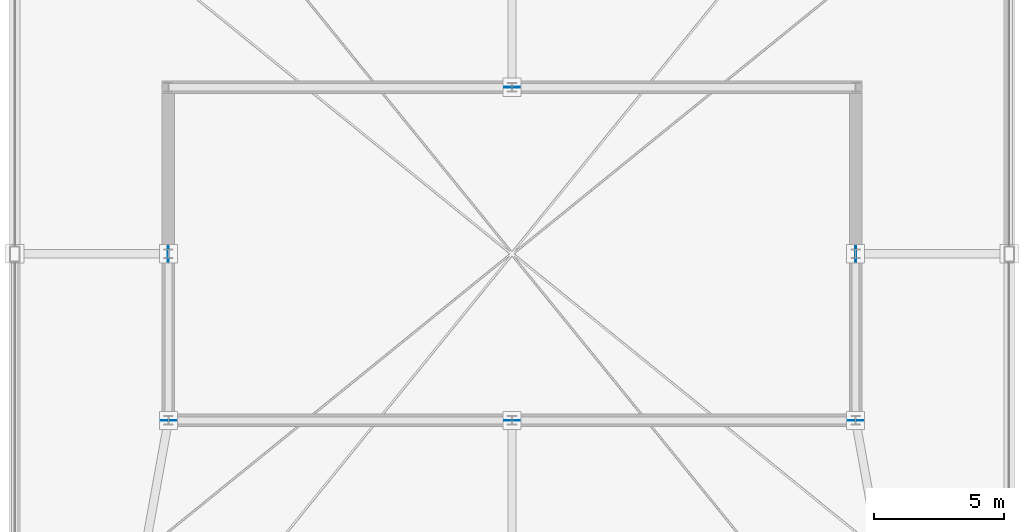
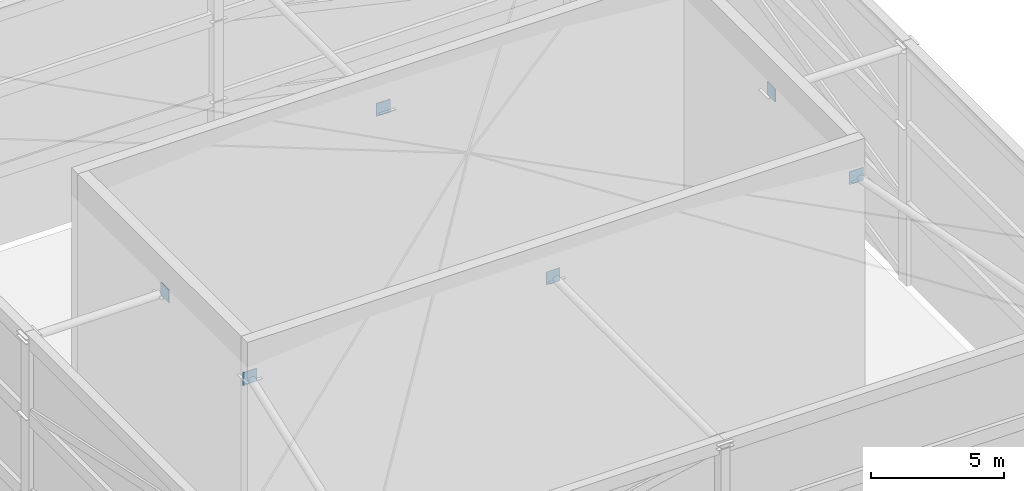
# One storey, part 5 of 6: 6 discrete accessories.
"""IFC4 building model written with IfcOpenShell, lengths in metres."""

import ifcopenshell
import ifcopenshell.guid

model = None  # the IFC model being written
_history = None  # IfcOwnerHistory: only IFC2X3 demands one
_inside = {}  # id of a spatial element -> (the spatial element, [elements in it])
_under = {}  # id of a project, library or spatial element -> (it, [spatial elements below it])
_declared = {}  # id of a project -> (the project, [libraries it declares])
_typed = {}  # id of a type object -> (the type object, [elements of that type])
_made_of = {}  # id of a material, layer set ... -> (it, [elements and type objects made of it])


def new_model(schema):
    """Start an empty IFC model of exactly this schema.

    Asked for "IFC4X3", IfcOpenShell would pick the latest addendum, in which some entities
    have other attributes; the version numbers below select the first issue.
    IFC2X3 requires an IfcOwnerHistory on every rooted entity: one is made here for all.
    """
    global model, _history
    if schema == "IFC4X3":
        model = ifcopenshell.file(schema_version=(4, 3, 0, 0))
    else:
        model = ifcopenshell.file(schema=schema)
    _inside.clear()
    _under.clear()
    _declared.clear()
    _typed.clear()
    _made_of.clear()
    _history = None
    if model.schema == "IFC2X3":
        org = make("IfcOrganization", Name="unknown")
        user = make(
            "IfcPersonAndOrganization",
            ThePerson=make("IfcPerson", FamilyName="unknown"),
            TheOrganization=org,
        )
        app = make(
            "IfcApplication",
            ApplicationDeveloper=org,
            Version="unknown",
            ApplicationFullName="unknown",
            ApplicationIdentifier="unknown",
        )
        _history = make(
            "IfcOwnerHistory",
            OwningUser=user,
            OwningApplication=app,
            ChangeAction="ADDED",
            CreationDate=0,
        )
    return model


def make(cls, **values):
    """One entity of the class cls with the attributes given. An attribute that is None is left unset."""
    return model.create_entity(
        cls, **{name: value for name, value in values.items() if value is not None}
    )


def rooted(cls, **values):
    """An entity with a GlobalId (a new one), such as an element, a storey or a relation."""
    return make(cls, GlobalId=ifcopenshell.guid.new(), OwnerHistory=_history, **values)


def si_unit(unit_type, name, prefix=None):
    """IfcSIUnit, for example si_unit("LENGTHUNIT", "METRE", prefix="MILLI")."""
    return make("IfcSIUnit", UnitType=unit_type, Prefix=prefix, Name=name)


def assignment(units):
    """IfcUnitAssignment: the units of a project."""
    return None if units is None else make("IfcUnitAssignment", Units=units)


def point(xyz):
    """IfcCartesianPoint."""
    return None if xyz is None else make("IfcCartesianPoint", Coordinates=xyz)


def direction(xyz):
    """IfcDirection."""
    return None if xyz is None else make("IfcDirection", DirectionRatios=xyz)


def frame(location, z_axis=None, x_axis=None):
    """IfcAxis2Placement3D, a coordinate frame: its origin and axes. An axis left out is left unset."""
    return make(
        "IfcAxis2Placement3D",
        Location=point(location),
        Axis=direction(z_axis),
        RefDirection=direction(x_axis),
    )


def frame_2d(location, x_axis=None):
    """IfcAxis2Placement2D, a coordinate frame in the plane: its origin and x axis."""
    return make(
        "IfcAxis2Placement2D", Location=point(location), RefDirection=direction(x_axis)
    )


def origin():
    """The frame at (0, 0, 0) with its axes left unset."""
    return frame((0.0, 0.0, 0.0))


def origin_2d():
    """The frame at (0, 0) in the plane with its x axis left unset."""
    return frame_2d((0.0, 0.0))


def place(relative_to, where):
    """IfcLocalPlacement: puts the frame where relative to a parent placement (None: the world)."""
    return make(
        "IfcLocalPlacement", PlacementRelTo=relative_to, RelativePlacement=where
    )


def context(
    kind, dimensions, precision=None, world=None, true_north=None, identifier=None
):
    """IfcGeometricRepresentationContext, for example the 3D "Model" context."""
    return make(
        "IfcGeometricRepresentationContext",
        ContextIdentifier=identifier,
        ContextType=kind,
        CoordinateSpaceDimension=dimensions,
        Precision=precision,
        WorldCoordinateSystem=world,
        TrueNorth=true_north,
    )


def subcontext(parent, identifier, kind, view, scale=None):
    """IfcGeometricRepresentationSubContext, for example "Body" below "Model"."""
    return make(
        "IfcGeometricRepresentationSubContext",
        ContextIdentifier=identifier,
        ContextType=kind,
        ParentContext=parent,
        TargetScale=scale,
        TargetView=view,
    )


def project(units=None, contexts=None):
    """IfcProject with its units and contexts."""
    return rooted(
        "IfcProject",
        Name="project",
        RepresentationContexts=contexts,
        UnitsInContext=assignment(units),
    )


def spatial(cls, under=None, at=None, **own):
    """A site, building, storey or space (cls), placed at a placement, below another one or the project."""
    s = rooted(cls, ObjectPlacement=at, **own)
    if under is not None:
        _under.setdefault(under.id(), (under, []))[1].append(s)
    return s


def profile(cls, at=None, kind="AREA", **sizes):
    """A parametric profile (cls). Its sizes go by their IFC names, for example OverallWidth=200.0."""
    return make(cls, ProfileType=kind, Position=at, **sizes)


def rectangle(**sizes):
    """IfcRectangleProfileDef."""
    return profile("IfcRectangleProfileDef", **sizes)


def extrude(swept, where, along, depth):
    """IfcExtrudedAreaSolid: the profile swept, set in the frame where, extruded along a direction by depth."""
    return make(
        "IfcExtrudedAreaSolid",
        SweptArea=swept,
        Position=where,
        ExtrudedDirection=direction(along),
        Depth=depth,
    )


def shape(context_of_items, identifier, shape_type, items):
    """IfcShapeRepresentation: the items that make up one representation, for example the "Body"."""
    return make(
        "IfcShapeRepresentation",
        ContextOfItems=context_of_items,
        RepresentationIdentifier=identifier,
        RepresentationType=shape_type,
        Items=items,
    )


def source(mapping_origin, context_of_items, identifier, shape_type, items):
    """IfcRepresentationMap: a shape defined once, which mapped items show again and again."""
    return make(
        "IfcRepresentationMap",
        MappingOrigin=mapping_origin,
        MappedRepresentation=shape(context_of_items, identifier, shape_type, items),
    )


def transform(
    local_origin,
    x_axis=None,
    y_axis=None,
    z_axis=None,
    scale=None,
    scale2=None,
    scale3=None,
    uniform=True,
):
    """IfcCartesianTransformationOperator3D, or its non-uniform kind. x_axis, y_axis, z_axis: its Axis1, 2, 3."""
    if uniform:
        return make(
            "IfcCartesianTransformationOperator3D",
            Axis1=direction(x_axis),
            Axis2=direction(y_axis),
            LocalOrigin=point(local_origin),
            Scale=scale,
            Axis3=direction(z_axis),
        )
    return make(
        "IfcCartesianTransformationOperator3DnonUniform",
        Axis1=direction(x_axis),
        Axis2=direction(y_axis),
        LocalOrigin=point(local_origin),
        Scale=scale,
        Axis3=direction(z_axis),
        Scale2=scale2,
        Scale3=scale3,
    )


def mapped(mapping_source, mapping_target):
    """IfcMappedItem: shows the shape of a source again, moved by a transform."""
    return make(
        "IfcMappedItem", MappingSource=mapping_source, MappingTarget=mapping_target
    )


def material(Name=None, Category=None):
    """IfcMaterial."""
    return make("IfcMaterial", Name=Name, Category=Category)


def layer(
    of_material, thickness, ventilated=None, Name=None, Category=None, Priority=None
):
    """IfcMaterialLayer: one layer of a wall or slab, of a material (None: an air gap)."""
    return make(
        "IfcMaterialLayer",
        Material=of_material,
        LayerThickness=thickness,
        IsVentilated=ventilated,
        Name=Name,
        Category=Category,
        Priority=Priority,
    )


def layer_set(layers, Name=None):
    """IfcMaterialLayerSet."""
    return make("IfcMaterialLayerSet", MaterialLayers=layers, LayerSetName=Name)


def made_of(thing, what):
    """Note that an element or type object is made of a material, layer set ...; save() writes the relation."""
    if what is not None:
        _made_of.setdefault(what.id(), (what, []))[1].append(thing)
    return thing


def type_object(cls, material=None, **own):
    """A type object (cls), such as IfcWallType, which elements share."""
    return made_of(rooted(cls, **own), material)


def element(
    cls,
    number,
    at=None,
    inside=None,
    cuts=None,
    type_object=None,
    material=None,
    context=None,
    identifier="Body",
    shape_type=None,
    held_by="IfcProductDefinitionShape",
    body=None,
    shapes=None,
    **own,
):
    """One element of the class cls, such as IfcWall. Its Tag is "e" and its number.

    at: its placement. inside: the storey or other place that contains it. cuts: it is an
    opening in that element (IfcRelVoidsElement). A single representation is given by context,
    identifier, shape_type and body (its items); several are given by shapes. held_by: the class
    of the entity that holds the representations. save() writes the other relations.
    """
    e = rooted(cls, Tag="e%d" % number, ObjectPlacement=at, **own)
    if body is not None:
        shapes = [shape(context, identifier, shape_type, body)]
    if shapes is not None:
        e.Representation = make(held_by, Representations=shapes)
    if inside is not None:
        _inside.setdefault(inside.id(), (inside, []))[1].append(e)
    if cuts is not None:
        rooted(
            "IfcRelVoidsElement", RelatingBuildingElement=cuts, RelatedOpeningElement=e
        )
    if type_object is not None:
        _typed.setdefault(type_object.id(), (type_object, []))[1].append(e)
    return made_of(e, material)


def aggregate(whole, parts):
    """IfcRelAggregates: a whole, such as a stair, and the parts it consists of."""
    return rooted("IfcRelAggregates", RelatingObject=whole, RelatedObjects=parts)


def save(model, path):
    """Write the relations noted so far, then the file.

    IfcRelAggregates (storeys below a building ...), IfcRelContainedInSpatialStructure (elements
    in a storey), IfcRelDefinesByType, IfcRelAssociatesMaterial and IfcRelDeclares: one each for
    every whole, place, type object, material and project.
    """
    for whole, parts in _under.values():
        aggregate(whole, parts)
    for where, things in _inside.values():
        rooted(
            "IfcRelContainedInSpatialStructure",
            RelatedElements=things,
            RelatingStructure=where,
        )
    for kind, things in _typed.values():
        rooted("IfcRelDefinesByType", RelatedObjects=things, RelatingType=kind)
    for what, things in _made_of.values():
        rooted("IfcRelAssociatesMaterial", RelatedObjects=things, RelatingMaterial=what)
    for by, libraries in _declared.values():
        rooted("IfcRelDeclares", RelatingContext=by, RelatedDefinitions=libraries)
    model.write(path)


model = new_model("IFC4")

# Units and contexts
model_context = context("Model", 3, precision=1e-05, world=origin(), true_north=direction((0.0, 1.0)))
body_context = subcontext(model_context, "Body", "Model", "MODEL_VIEW")
ifc_project = project(units=[si_unit("LENGTHUNIT", "METRE"), si_unit("AREAUNIT", "SQUARE_METRE"), si_unit("VOLUMEUNIT", "CUBIC_METRE"), si_unit("PLANEANGLEUNIT", "RADIAN"), si_unit("MASSUNIT", "GRAM", prefix="KILO"), si_unit("THERMODYNAMICTEMPERATUREUNIT", "KELVIN"), si_unit("POWERUNIT", "WATT")], contexts=[model_context])

# Site, building, storey
site_placement = place(None, origin())
site = spatial("IfcSite", under=ifc_project, at=site_placement, CompositionType="ELEMENT")
building_placement = place(site_placement, origin())
building = spatial("IfcBuilding", under=site, at=building_placement, Name="Yuzanri Waterfront Tower", CompositionType="ELEMENT")
storey_placement = place(building_placement, frame((0.0, 0.0, 363.800048828125)))
storey = spatial("IfcBuildingStorey", under=building, at=storey_placement, Name="RF", CompositionType="ELEMENT", Elevation=363.800048828125)

# Discrete accessories
ifc_material = material(Name="Steel Q355B", Category="steel")
ifc_layer = layer(ifc_material, 0.031982421875)
ifc_layer_set = layer_set([ifc_layer], Name="Steel Q355B")
discrete_accessory_type = type_object("IfcDiscreteAccessoryType", Name="Steel Q355B Core Wall Cast-In Embed Plate 600x600x32", PredefinedType="USERDEFINED", material=ifc_layer_set)
shared_shape = source(origin(), body_context, "Body", "SweptSolid", [
    extrude(rectangle(XDim=0.60009765625, YDim=0.031982421875, at=origin_2d()), origin(), (0.0, 0.0, 1.0), 0.60009765625),
])
for number, where, z_axis, x_axis, name in (
    (1, (37.0, 19.39990234375, 10.5), (0.0, 0.0, 1.0), (1.0, 0.0, 0.0), "Core Wall Cast-In Embed Plate EP-01"),
    (2, (37.0, 32.199951171875, 10.5), (0.0, 0.0, 1.0), (1.0, 0.0, 0.0), "Core Wall Cast-In Embed Plate EP-01"),
    (3, (23.800048828125, 25.800048828125, 10.5), (0.0, 0.0, 1.0), (0.0, 1.0, 0.0), "Core Wall Cast-In Embed Plate EP-01"),
    (4, (50.199951171875, 25.800048828125, 10.5), (0.0, 0.0, 1.0), (0.0, 1.0, 0.0), "Core Wall Cast-In Embed Plate EP-01"),
    (5, (23.800048828125, 19.39990234375, 10.5), (0.0, 0.0, 1.0), (1.0, 0.0, 0.0), "Core Wall Cast-In Embed Plate EP-01"),
    (6, (50.199951171875, 19.39990234375, 10.5), (0.0, 0.0, 1.0), (1.0, 0.0, 0.0), "Core Wall Cast-In Embed Plate EP-01"),
):
    element("IfcDiscreteAccessory", number, at=place(storey_placement, frame(where, z_axis=z_axis, x_axis=x_axis)), inside=storey, type_object=discrete_accessory_type, Name=name, ObjectType="CAST-IN EMBED PLATE", PredefinedType="USERDEFINED", context=body_context, shape_type="MappedRepresentation", body=[
        mapped(shared_shape, transform((0.0, 0.0, 0.0), scale=1.0)),
    ])

save(model, "model.ifc")
